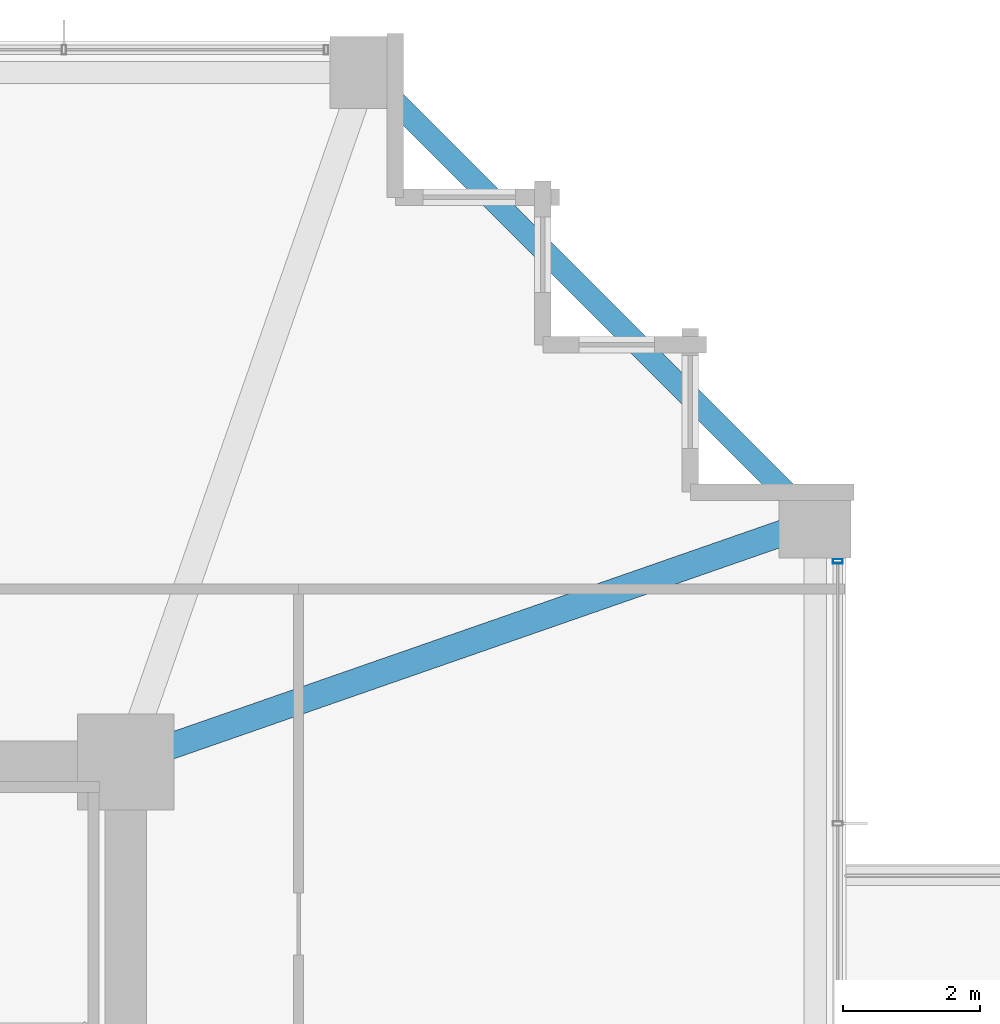
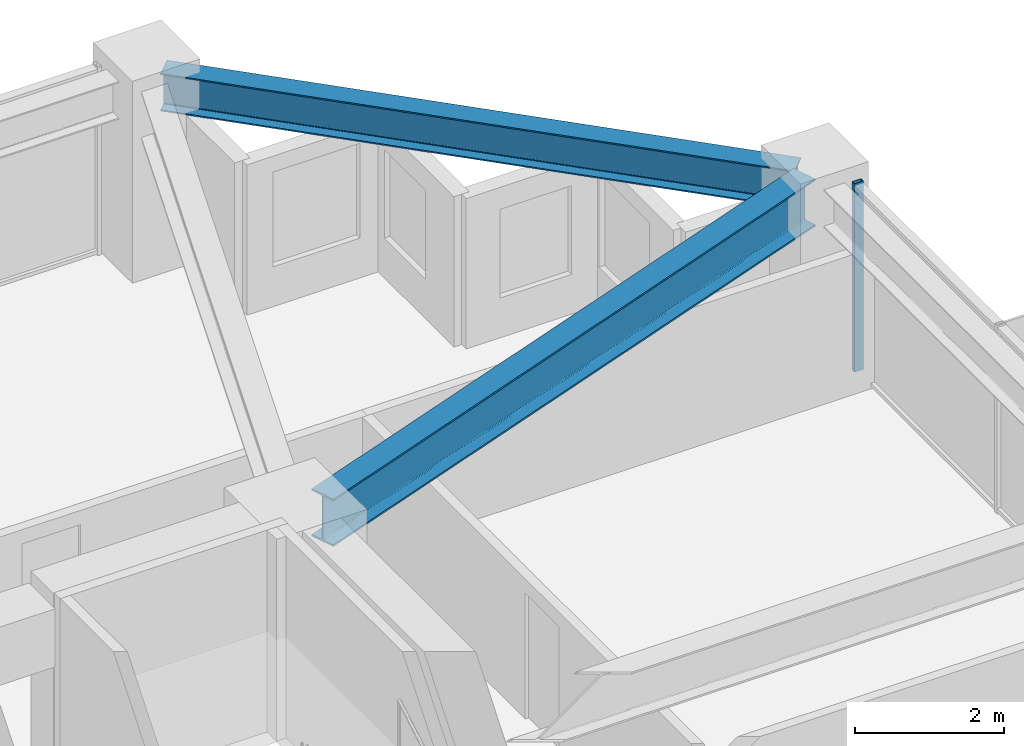
# One storey, part 23 of 36: 2 beams, 1 member, 1 element without a shape of its own.
"""IFC4 building model written with IfcOpenShell, lengths in metres."""

from ifc_helpers import new_model, si_unit, direction, frame, origin, origin_2d, place, context, subcontext, project, spatial, hollow_rectangle, i_section, extrude, material, material_profile, profile_set, type_object, element, aggregate, save


model = new_model("IFC4")

# Units and contexts
model_context = context("Model", 3, precision=1e-05, world=origin(), true_north=direction((0.0, 1.0)))
body_context = subcontext(model_context, "Body", "Model", "MODEL_VIEW")
ifc_project = project(units=[si_unit("LENGTHUNIT", "METRE"), si_unit("AREAUNIT", "SQUARE_METRE"), si_unit("VOLUMEUNIT", "CUBIC_METRE"), si_unit("PLANEANGLEUNIT", "RADIAN"), si_unit("MASSUNIT", "GRAM", prefix="KILO")], contexts=[model_context])

# Site, building, storey
site_placement = place(None, origin())
site = spatial("IfcSite", under=ifc_project, at=site_placement, CompositionType="ELEMENT")
building_placement = place(site_placement, origin())
building = spatial("IfcBuilding", under=site, at=building_placement, Name="Kolvaren Belvedere", CompositionType="ELEMENT")
storey_placement = place(building_placement, frame((0.0, 0.0, 92.0)))
storey = spatial("IfcBuildingStorey", under=building, at=storey_placement, Name="L26", CompositionType="ELEMENT", Elevation=92.0)

# Beams
ifc_material_1 = material(Name="Structural steel ASTM A992 Grade 50", Category="steel")
ifc_material_profile_1 = material_profile(ifc_material_1, i_section(OverallWidth=0.381103515625, OverallDepth=0.77294921875, WebThickness=0.0166015625, FlangeThickness=0.027099609375, FilletRadius=0.02392578125, at=origin_2d()), Name="W30X173")
ifc_profile_set_1 = profile_set([ifc_material_profile_1], Name="Structural steel ASTM A992 Grade 50")
beam_type_1 = type_object("IfcBeamType", Name="BM-GIRD-W30X173", PredefinedType="BEAM", material=ifc_profile_set_1)
beam_1_placement = place(storey_placement, frame((10.41943359375, 10.080810546875, 2.693603515625), z_axis=(0.944371408538, 0.328880894453, 0.0), x_axis=(-0.328880894453, 0.944371408538, 0.0)))
element("IfcBeam", 1, at=beam_1_placement, inside=storey, type_object=beam_type_1, Name="L26 Corner Core-to-Perimeter Girder CC3-E4", PredefinedType="BEAM", context=body_context, shape_type="SweptSolid", body=[
    extrude(i_section(OverallWidth=0.381103515625, OverallDepth=0.77294921875, WebThickness=0.0166015625, FlangeThickness=0.027099609375, FilletRadius=0.02392578125, at=origin_2d()), origin(), (0.0, 0.0, 1.0), 9.882080078125),
])
ifc_material_2 = material(Name="Structural steel ASTM A992 Grade 50", Category="steel")
ifc_material_profile_2 = material_profile(ifc_material_2, i_section(OverallWidth=0.324951171875, OverallDepth=0.615966796875, WebThickness=0.013916015625, FlangeThickness=0.021484375, FilletRadius=0.02001953125, at=origin_2d()), Name="W24X117")
ifc_profile_set_2 = profile_set([ifc_material_profile_2], Name="Structural steel ASTM A992 Grade 50")
beam_type_2 = type_object("IfcBeamType", Name="BM-SPAN-W24X117", PredefinedType="SPANDREL", material=ifc_profile_set_2)
beam_2_placement = place(storey_placement, frame((19.782958984375, 13.567138671875, 2.77197265625), z_axis=(-0.707106781187, 0.707106781187, 0.0), x_axis=(-0.707106781187, -0.707106781187, 0.0)))
element("IfcBeam", 2, at=beam_2_placement, inside=storey, type_object=beam_type_2, Name="L26 Perimeter Spandrel E4-N4", PredefinedType="SPANDREL", context=body_context, shape_type="SweptSolid", body=[
    extrude(i_section(OverallWidth=0.324951171875, OverallDepth=0.615966796875, WebThickness=0.013916015625, FlangeThickness=0.021484375, FilletRadius=0.02001953125, at=origin_2d()), origin(), (0.0, 0.0, 1.0), 8.79052734375),
])

# Curtain wall, member
ifc_material_3 = material(Name="Anodised pale-metal aluminium AA 6063-T6", Category="aluminium")
curtain_wall_type = type_object("IfcCurtainWallType", Name="CW-Z2-MID", PredefinedType="NOTDEFINED", material=ifc_material_3)
curtain_wall_placement = place(storey_placement, origin())
curtain_wall = element("IfcCurtainWall", 3, at=curtain_wall_placement, inside=storey, type_object=curtain_wall_type, Name="L26 Unitised Curtain Wall FCW-L26-E1-B1", PredefinedType="NOTDEFINED")
ifc_material_4 = material(Name="Anodised pale-metal aluminium AA 6063-T6", Category="aluminium")
ifc_material_profile_3 = material_profile(ifc_material_4, hollow_rectangle(XDim=0.06494140625, YDim=0.139892578125, WallThickness=0.00390625, at=origin_2d()), Name="ALU-MUL-140X65")
ifc_profile_set_3 = profile_set([ifc_material_profile_3], Name="Anodised pale-metal aluminium AA 6063-T6")
member_type = type_object("IfcMemberType", Name="CW-MUL-140", PredefinedType="MULLION", material=ifc_profile_set_3)
member_placement = place(storey_placement, frame((20.280029296875, 12.822509765625, 0.0), z_axis=(0.0, 0.0, 1.0), x_axis=(0.0, 1.0, 0.0)))
member = element("IfcMember", 4, at=member_placement, type_object=member_type, Name="FCW-L26-E1-B1 Unitised Mullion 1", PredefinedType="MULLION", context=body_context, shape_type="SweptSolid", body=[
    extrude(hollow_rectangle(XDim=0.06494140625, YDim=0.139892578125, WallThickness=0.00390625, at=origin_2d()), origin(), (0.0, 0.0, 1.0), 3.080078125),
])
aggregate(curtain_wall, [member])

save(model, "model.ifc")
